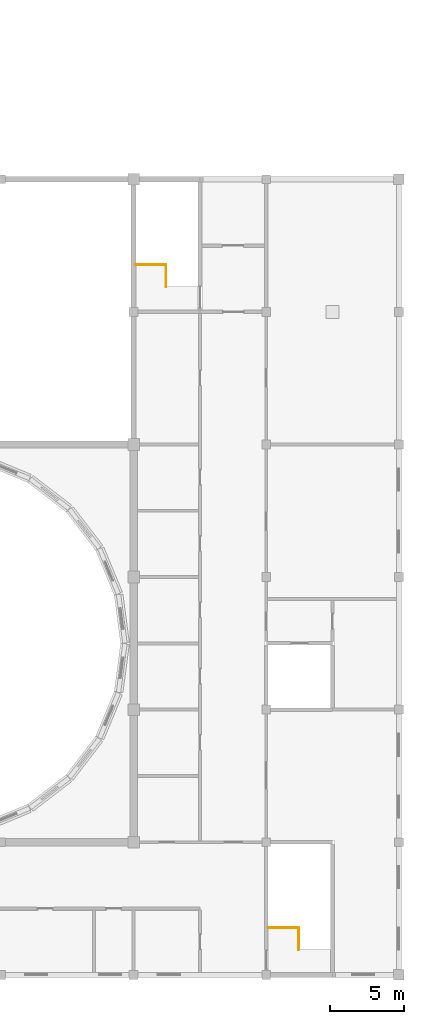
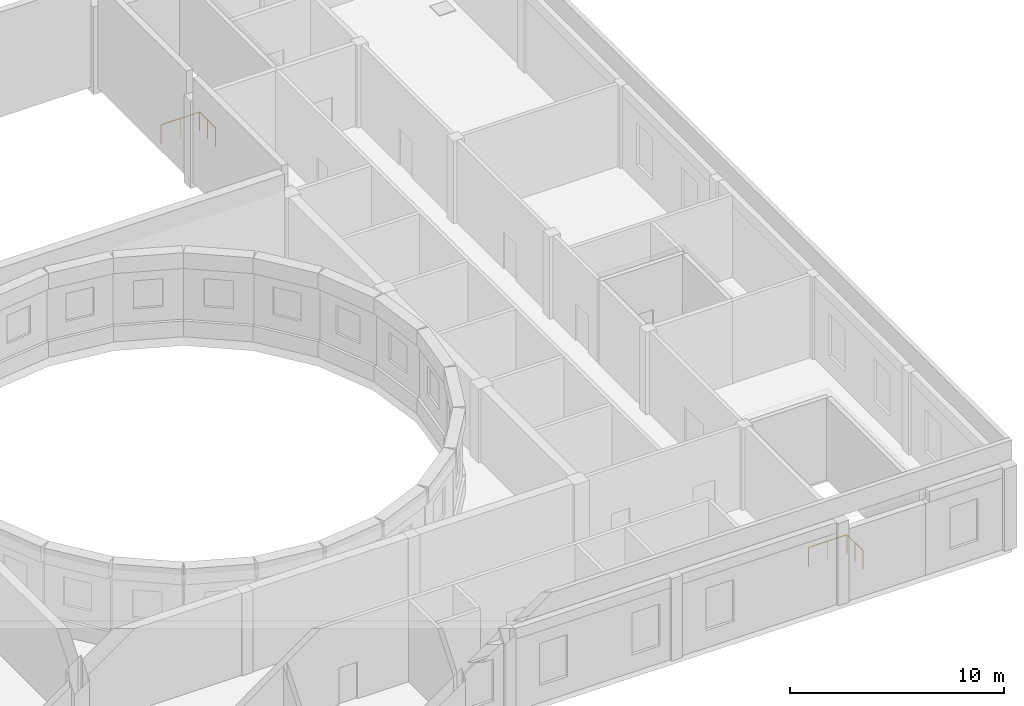
# One storey, part 34 of 35: 4 railings.
"""IFC4 building model written with IfcOpenShell, lengths in metres."""

from ifc_helpers import new_model, si_unit, direction, frame, origin, origin_2d, place, context, subcontext, project, spatial, circle, extrude, material, type_object, element, save


model = new_model("IFC4")

# Units and contexts
model_context = context("Model", 3, precision=1e-05, world=origin(), true_north=direction((0.0, 1.0)))
body_context = subcontext(model_context, "Body", "Model", "MODEL_VIEW")
ifc_project = project(units=[si_unit("LENGTHUNIT", "METRE"), si_unit("AREAUNIT", "SQUARE_METRE"), si_unit("VOLUMEUNIT", "CUBIC_METRE"), si_unit("PLANEANGLEUNIT", "RADIAN"), si_unit("MASSUNIT", "GRAM", prefix="KILO")], contexts=[model_context])

# Site, building, storey
site_placement = place(None, origin())
site = spatial("IfcSite", under=ifc_project, at=site_placement, CompositionType="ELEMENT")
building_placement = place(site_placement, origin())
building = spatial("IfcBuilding", under=site, at=building_placement, Name="Firuza Court", CompositionType="ELEMENT")
storey_placement = place(building_placement, frame((0.0, 0.0, 24.0)))
storey = spatial("IfcBuildingStorey", under=building, at=storey_placement, Name="L04", CompositionType="ELEMENT", Elevation=24.0)

# Railings
ifc_material = material(Name="Steel S355", Category="steel")
railing_type = type_object("IfcRailingType", Name="HALL RAILING 1100", PredefinedType="GUARDRAIL", material=ifc_material)
for number, where, name in (
    (1, (146.199951171875, -7.300048828125, 0.0), "Stair H2 floor guard L04"),
    (2, (137.199951171875, 37.699951171875, 0.0), "Stair H4 floor guard L04"),
):
    element("IfcRailing", number, at=place(storey_placement, frame(where)), inside=storey, type_object=railing_type, Name=name, PredefinedType="GUARDRAIL", context=body_context, shape_type="SweptSolid", body=[
        extrude(circle(Radius=0.02392578125, at=origin_2d()), frame((0.0, 0.0, 1.076171875), z_axis=(0.0, 1.0, 0.0), x_axis=(-1.0, 0.0, 0.0)), (0.0, 0.0, 1.0), 1.5),
        extrude(circle(Radius=0.02099609375, at=origin_2d()), origin(), (0.0, 0.0, 1.0), 1.052001953125),
        extrude(circle(Radius=0.02099609375, at=origin_2d()), frame((0.0, 0.75, 0.0)), (0.0, 0.0, 1.0), 1.052001953125),
        extrude(circle(Radius=0.02099609375, at=origin_2d()), frame((0.0, 1.5, 0.0)), (0.0, 0.0, 1.0), 1.052001953125),
    ])
for number, where, name in (
    (3, (144.125, -5.800048828125, 0.0), "Stair H2 guard"),
    (4, (135.125, 39.199951171875, 0.0), "Stair H4 guard"),
):
    element("IfcRailing", number, at=place(storey_placement, frame(where)), inside=storey, type_object=railing_type, Name=name, PredefinedType="GUARDRAIL", context=body_context, shape_type="SweptSolid", body=[
        extrude(circle(Radius=0.02392578125, at=origin_2d()), frame((0.0, 0.0, 1.076171875), z_axis=(1.0, 0.0, 0.0), x_axis=(0.0, 1.0, 0.0)), (0.0, 0.0, 1.0), 2.074951171875),
        extrude(circle(Radius=0.02099609375, at=origin_2d()), origin(), (0.0, 0.0, 1.0), 1.052001953125),
        extrude(circle(Radius=0.02099609375, at=origin_2d()), frame((1.03759765625, 0.0, 0.0)), (0.0, 0.0, 1.0), 1.052001953125),
        extrude(circle(Radius=0.02099609375, at=origin_2d()), frame((2.074951171875, 0.0, 0.0)), (0.0, 0.0, 1.0), 1.052001953125),
    ])

save(model, "model.ifc")
